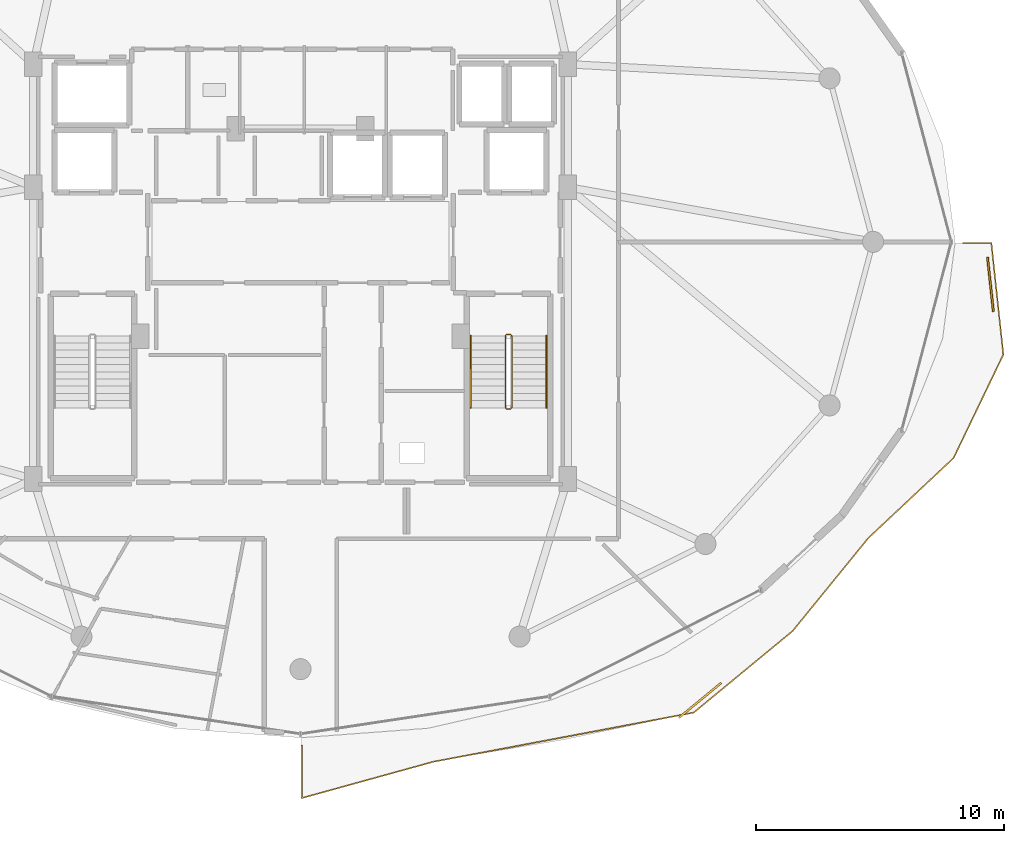
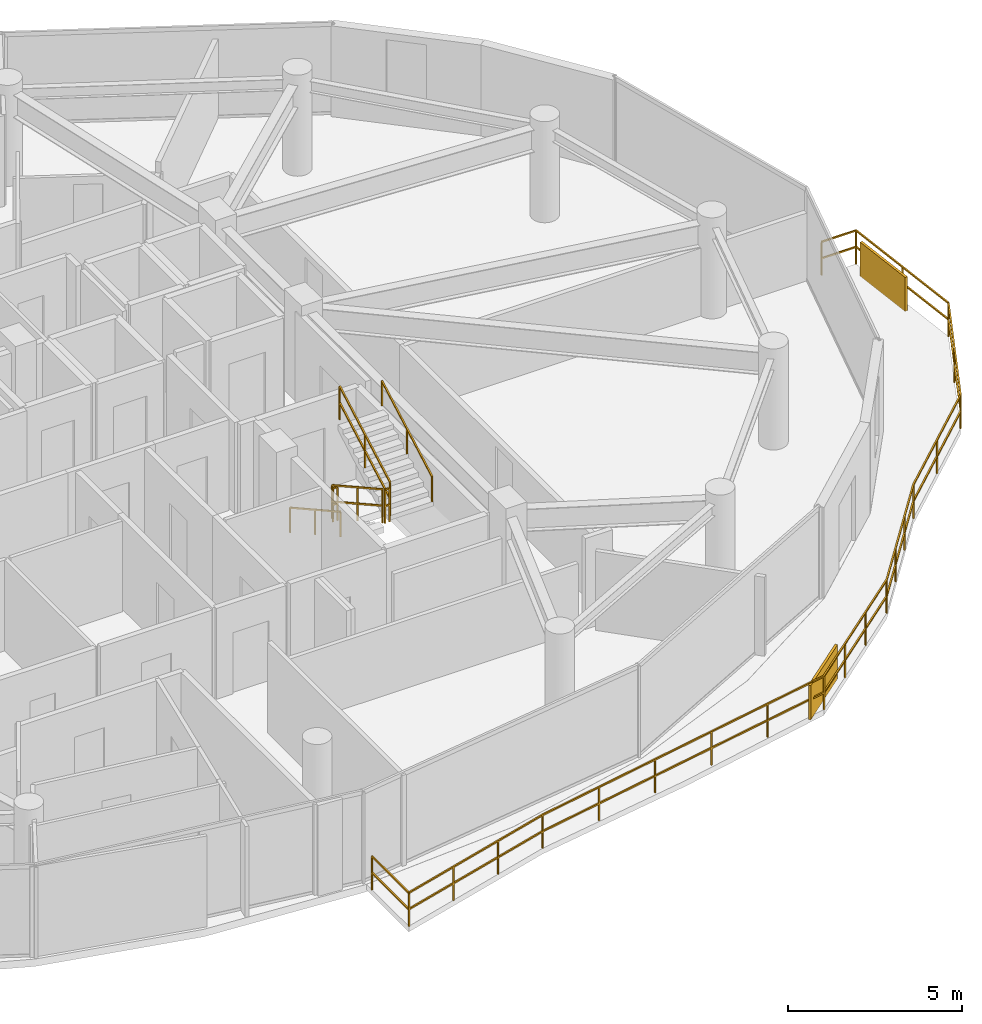
# One storey, part 23 of 25: 8 railings, 2 shading devices.
"""IFC4 building model written with IfcOpenShell, lengths in metres."""

import ifcopenshell
import ifcopenshell.guid

model = None  # the IFC model being written
_history = None  # IfcOwnerHistory: only IFC2X3 demands one
_inside = {}  # id of a spatial element -> (the spatial element, [elements in it])
_under = {}  # id of a project, library or spatial element -> (it, [spatial elements below it])
_declared = {}  # id of a project -> (the project, [libraries it declares])
_typed = {}  # id of a type object -> (the type object, [elements of that type])
_made_of = {}  # id of a material, layer set ... -> (it, [elements and type objects made of it])


def new_model(schema):
    """Start an empty IFC model of exactly this schema.

    Asked for "IFC4X3", IfcOpenShell would pick the latest addendum, in which some entities
    have other attributes; the version numbers below select the first issue.
    IFC2X3 requires an IfcOwnerHistory on every rooted entity: one is made here for all.
    """
    global model, _history
    if schema == "IFC4X3":
        model = ifcopenshell.file(schema_version=(4, 3, 0, 0))
    else:
        model = ifcopenshell.file(schema=schema)
    _inside.clear()
    _under.clear()
    _declared.clear()
    _typed.clear()
    _made_of.clear()
    _history = None
    if model.schema == "IFC2X3":
        org = make("IfcOrganization", Name="unknown")
        user = make(
            "IfcPersonAndOrganization",
            ThePerson=make("IfcPerson", FamilyName="unknown"),
            TheOrganization=org,
        )
        app = make(
            "IfcApplication",
            ApplicationDeveloper=org,
            Version="unknown",
            ApplicationFullName="unknown",
            ApplicationIdentifier="unknown",
        )
        _history = make(
            "IfcOwnerHistory",
            OwningUser=user,
            OwningApplication=app,
            ChangeAction="ADDED",
            CreationDate=0,
        )
    return model


def make(cls, **values):
    """One entity of the class cls with the attributes given. An attribute that is None is left unset."""
    return model.create_entity(
        cls, **{name: value for name, value in values.items() if value is not None}
    )


def rooted(cls, **values):
    """An entity with a GlobalId (a new one), such as an element, a storey or a relation."""
    return make(cls, GlobalId=ifcopenshell.guid.new(), OwnerHistory=_history, **values)


def si_unit(unit_type, name, prefix=None):
    """IfcSIUnit, for example si_unit("LENGTHUNIT", "METRE", prefix="MILLI")."""
    return make("IfcSIUnit", UnitType=unit_type, Prefix=prefix, Name=name)


def assignment(units):
    """IfcUnitAssignment: the units of a project."""
    return None if units is None else make("IfcUnitAssignment", Units=units)


def point(xyz):
    """IfcCartesianPoint."""
    return None if xyz is None else make("IfcCartesianPoint", Coordinates=xyz)


def direction(xyz):
    """IfcDirection."""
    return None if xyz is None else make("IfcDirection", DirectionRatios=xyz)


def frame(location, z_axis=None, x_axis=None):
    """IfcAxis2Placement3D, a coordinate frame: its origin and axes. An axis left out is left unset."""
    return make(
        "IfcAxis2Placement3D",
        Location=point(location),
        Axis=direction(z_axis),
        RefDirection=direction(x_axis),
    )


def frame_2d(location, x_axis=None):
    """IfcAxis2Placement2D, a coordinate frame in the plane: its origin and x axis."""
    return make(
        "IfcAxis2Placement2D", Location=point(location), RefDirection=direction(x_axis)
    )


def origin():
    """The frame at (0, 0, 0) with its axes left unset."""
    return frame((0.0, 0.0, 0.0))


def origin_2d():
    """The frame at (0, 0) in the plane with its x axis left unset."""
    return frame_2d((0.0, 0.0))


def place(relative_to, where):
    """IfcLocalPlacement: puts the frame where relative to a parent placement (None: the world)."""
    return make(
        "IfcLocalPlacement", PlacementRelTo=relative_to, RelativePlacement=where
    )


def context(
    kind, dimensions, precision=None, world=None, true_north=None, identifier=None
):
    """IfcGeometricRepresentationContext, for example the 3D "Model" context."""
    return make(
        "IfcGeometricRepresentationContext",
        ContextIdentifier=identifier,
        ContextType=kind,
        CoordinateSpaceDimension=dimensions,
        Precision=precision,
        WorldCoordinateSystem=world,
        TrueNorth=true_north,
    )


def subcontext(parent, identifier, kind, view, scale=None):
    """IfcGeometricRepresentationSubContext, for example "Body" below "Model"."""
    return make(
        "IfcGeometricRepresentationSubContext",
        ContextIdentifier=identifier,
        ContextType=kind,
        ParentContext=parent,
        TargetScale=scale,
        TargetView=view,
    )


def project(units=None, contexts=None):
    """IfcProject with its units and contexts."""
    return rooted(
        "IfcProject",
        Name="project",
        RepresentationContexts=contexts,
        UnitsInContext=assignment(units),
    )


def spatial(cls, under=None, at=None, **own):
    """A site, building, storey or space (cls), placed at a placement, below another one or the project."""
    s = rooted(cls, ObjectPlacement=at, **own)
    if under is not None:
        _under.setdefault(under.id(), (under, []))[1].append(s)
    return s


def profile(cls, at=None, kind="AREA", **sizes):
    """A parametric profile (cls). Its sizes go by their IFC names, for example OverallWidth=200.0."""
    return make(cls, ProfileType=kind, Position=at, **sizes)


def rectangle(**sizes):
    """IfcRectangleProfileDef."""
    return profile("IfcRectangleProfileDef", **sizes)


def extrude(swept, where, along, depth):
    """IfcExtrudedAreaSolid: the profile swept, set in the frame where, extruded along a direction by depth."""
    return make(
        "IfcExtrudedAreaSolid",
        SweptArea=swept,
        Position=where,
        ExtrudedDirection=direction(along),
        Depth=depth,
    )


def shape(context_of_items, identifier, shape_type, items):
    """IfcShapeRepresentation: the items that make up one representation, for example the "Body"."""
    return make(
        "IfcShapeRepresentation",
        ContextOfItems=context_of_items,
        RepresentationIdentifier=identifier,
        RepresentationType=shape_type,
        Items=items,
    )


def material(Name=None, Category=None):
    """IfcMaterial."""
    return make("IfcMaterial", Name=Name, Category=Category)


def made_of(thing, what):
    """Note that an element or type object is made of a material, layer set ...; save() writes the relation."""
    if what is not None:
        _made_of.setdefault(what.id(), (what, []))[1].append(thing)
    return thing


def type_object(cls, material=None, **own):
    """A type object (cls), such as IfcWallType, which elements share."""
    return made_of(rooted(cls, **own), material)


def element(
    cls,
    number,
    at=None,
    inside=None,
    cuts=None,
    type_object=None,
    material=None,
    context=None,
    identifier="Body",
    shape_type=None,
    held_by="IfcProductDefinitionShape",
    body=None,
    shapes=None,
    **own,
):
    """One element of the class cls, such as IfcWall. Its Tag is "e" and its number.

    at: its placement. inside: the storey or other place that contains it. cuts: it is an
    opening in that element (IfcRelVoidsElement). A single representation is given by context,
    identifier, shape_type and body (its items); several are given by shapes. held_by: the class
    of the entity that holds the representations. save() writes the other relations.
    """
    e = rooted(cls, Tag="e%d" % number, ObjectPlacement=at, **own)
    if body is not None:
        shapes = [shape(context, identifier, shape_type, body)]
    if shapes is not None:
        e.Representation = make(held_by, Representations=shapes)
    if inside is not None:
        _inside.setdefault(inside.id(), (inside, []))[1].append(e)
    if cuts is not None:
        rooted(
            "IfcRelVoidsElement", RelatingBuildingElement=cuts, RelatedOpeningElement=e
        )
    if type_object is not None:
        _typed.setdefault(type_object.id(), (type_object, []))[1].append(e)
    return made_of(e, material)


def aggregate(whole, parts):
    """IfcRelAggregates: a whole, such as a stair, and the parts it consists of."""
    return rooted("IfcRelAggregates", RelatingObject=whole, RelatedObjects=parts)


def save(model, path):
    """Write the relations noted so far, then the file.

    IfcRelAggregates (storeys below a building ...), IfcRelContainedInSpatialStructure (elements
    in a storey), IfcRelDefinesByType, IfcRelAssociatesMaterial and IfcRelDeclares: one each for
    every whole, place, type object, material and project.
    """
    for whole, parts in _under.values():
        aggregate(whole, parts)
    for where, things in _inside.values():
        rooted(
            "IfcRelContainedInSpatialStructure",
            RelatedElements=things,
            RelatingStructure=where,
        )
    for kind, things in _typed.values():
        rooted("IfcRelDefinesByType", RelatedObjects=things, RelatingType=kind)
    for what, things in _made_of.values():
        rooted("IfcRelAssociatesMaterial", RelatedObjects=things, RelatingMaterial=what)
    for by, libraries in _declared.values():
        rooted("IfcRelDeclares", RelatingContext=by, RelatedDefinitions=libraries)
    model.write(path)


model = new_model("IFC4")

# Units and contexts
model_context = context("Model", 3, precision=1e-05, world=origin(), true_north=direction((0.0, 1.0)))
body_context = subcontext(model_context, "Body", "Model", "MODEL_VIEW")
ifc_project = project(units=[si_unit("LENGTHUNIT", "METRE"), si_unit("AREAUNIT", "SQUARE_METRE"), si_unit("VOLUMEUNIT", "CUBIC_METRE"), si_unit("PLANEANGLEUNIT", "RADIAN"), si_unit("MASSUNIT", "GRAM", prefix="KILO")], contexts=[model_context])

# Site, building, storey
site_placement = place(None, origin())
site = spatial("IfcSite", under=ifc_project, at=site_placement, CompositionType="ELEMENT")
building_placement = place(site_placement, origin())
building = spatial("IfcBuilding", under=site, at=building_placement, Name="Vorneva Point Tower", CompositionType="ELEMENT")
storey_placement = place(building_placement, frame((0.0, 0.0, 276.85009765625)))
storey = spatial("IfcBuildingStorey", under=building, at=storey_placement, Name="L75", CompositionType="ELEMENT", Elevation=276.85009765625)

# Railings
ifc_material_1 = material(Name="Pale anodised aluminium", Category="aluminium")
railing_type_1 = type_object("IfcRailingType", Name="RL-BAL-1200", PredefinedType="BALUSTRADE", material=ifc_material_1)
railing_1_placement = place(storey_placement, frame((66.292724609375, 21.462890625, 0.0)))
element("IfcRailing", 1, at=railing_1_placement, inside=storey, type_object=railing_type_1, Name="L75 Wave Balcony Balustrade SE.1", PredefinedType="BALUSTRADE", context=body_context, shape_type="SweptSolid", body=[
    extrude(rectangle(XDim=0.048095703125, YDim=0.048095703125, at=origin_2d()), frame((0.0, 0.0, 1.17578125), z_axis=(-0.106897954968, 0.994269997145, 0.0), x_axis=(-0.994269997145, -0.106897954968, 0.0)), (0.0, 0.0, 1.0), 4.512939453125),
    extrude(rectangle(XDim=0.048095703125, YDim=0.048095703125, at=origin_2d()), frame((0.0, 0.0, 0.60009765625), z_axis=(-0.106897954968, 0.994269997145, 0.0), x_axis=(-0.994269997145, -0.106897954968, 0.0)), (0.0, 0.0, 1.0), 4.512939453125),
    extrude(rectangle(XDim=0.048095703125, YDim=0.048095703125, at=origin_2d()), frame((-0.482421875, 4.487060546875, 1.17578125), z_axis=(-1.0, 0.0, 0.0), x_axis=(0.0, -1.0, 0.0)), (0.0, 0.0, 1.0), 1.14404296875),
    extrude(rectangle(XDim=0.048095703125, YDim=0.048095703125, at=origin_2d()), frame((-0.482421875, 4.487060546875, 0.60009765625), z_axis=(-1.0, 0.0, 0.0), x_axis=(0.0, -1.0, 0.0)), (0.0, 0.0, 1.0), 1.14404296875),
    extrude(rectangle(XDim=0.0419921875, YDim=0.0419921875, at=origin_2d()), origin(), (0.0, 0.0, 1.0), 1.15185546875),
    extrude(rectangle(XDim=0.0419921875, YDim=0.0419921875, at=origin_2d()), frame((-0.2412109375, 2.24365234375, 0.0)), (0.0, 0.0, 1.0), 1.15185546875),
    extrude(rectangle(XDim=0.0419921875, YDim=0.0419921875, at=origin_2d()), frame((-0.482421875, 4.487060546875, 0.0)), (0.0, 0.0, 1.0), 1.15185546875),
    extrude(rectangle(XDim=0.0419921875, YDim=0.0419921875, at=origin_2d()), frame((-1.62646484375, 4.487060546875, 0.0)), (0.0, 0.0, 1.0), 1.15185546875),
])
railing_2_placement = place(storey_placement, frame((38.050048828125, 5.722900390625, 0.0)))
element("IfcRailing", 2, at=railing_2_placement, inside=storey, type_object=railing_type_1, Name="L75 Wave Balcony Balustrade SE.2", PredefinedType="BALUSTRADE", context=body_context, shape_type="SweptSolid", body=[
    extrude(rectangle(XDim=0.048095703125, YDim=0.048095703125, at=origin_2d()), frame((0.0, 0.0, 1.17578125), z_axis=(0.0, -1.0, 0.0), x_axis=(1.0, 0.0, 0.0)), (0.0, 0.0, 1.0), 2.114013671875),
    extrude(rectangle(XDim=0.048095703125, YDim=0.048095703125, at=origin_2d()), frame((0.0, 0.0, 0.60009765625), z_axis=(0.0, -1.0, 0.0), x_axis=(1.0, 0.0, 0.0)), (0.0, 0.0, 1.0), 2.114013671875),
    extrude(rectangle(XDim=0.048095703125, YDim=0.048095703125, at=origin_2d()), frame((0.0, -2.114013671875, 1.17578125), z_axis=(0.963928150656, 0.266162582594, 0.0), x_axis=(-0.266162582594, 0.963928150656, 0.0)), (0.0, 0.0, 1.0), 5.49267578125),
    extrude(rectangle(XDim=0.048095703125, YDim=0.048095703125, at=origin_2d()), frame((0.0, -2.114013671875, 0.60009765625), z_axis=(0.963928150656, 0.266162582594, 0.0), x_axis=(-0.266162582594, 0.963928150656, 0.0)), (0.0, 0.0, 1.0), 5.49267578125),
    extrude(rectangle(XDim=0.048095703125, YDim=0.048095703125, at=origin_2d()), frame((5.29443359375, -0.652099609375, 1.17578125), z_axis=(0.982621597908, 0.185620029427, 0.0), x_axis=(-0.185620029427, 0.982621597908, 0.0)), (0.0, 0.0, 1.0), 10.6708984375),
    extrude(rectangle(XDim=0.048095703125, YDim=0.048095703125, at=origin_2d()), frame((5.29443359375, -0.652099609375, 0.60009765625), z_axis=(0.982621597908, 0.185620029427, 0.0), x_axis=(-0.185620029427, 0.982621597908, 0.0)), (0.0, 0.0, 1.0), 10.6708984375),
    extrude(rectangle(XDim=0.048095703125, YDim=0.048095703125, at=origin_2d()), frame((15.77978515625, 1.32861328125, 1.17578125), z_axis=(0.771678755272, 0.636012498825, 0.0), x_axis=(-0.636012498825, 0.771678755272, 0.0)), (0.0, 0.0, 1.0), 5.157470703125),
    extrude(rectangle(XDim=0.048095703125, YDim=0.048095703125, at=origin_2d()), frame((15.77978515625, 1.32861328125, 0.60009765625), z_axis=(0.771678755272, 0.636012498825, 0.0), x_axis=(-0.636012498825, 0.771678755272, 0.0)), (0.0, 0.0, 1.0), 5.157470703125),
    extrude(rectangle(XDim=0.048095703125, YDim=0.048095703125, at=origin_2d()), frame((19.759765625, 4.60888671875, 1.17578125), z_axis=(0.631285549874, 0.77555048483, 0.0), x_axis=(-0.77555048483, 0.631285549874, 0.0)), (0.0, 0.0, 1.0), 4.826416015625),
    extrude(rectangle(XDim=0.048095703125, YDim=0.048095703125, at=origin_2d()), frame((19.759765625, 4.60888671875, 0.60009765625), z_axis=(0.631285549874, 0.77555048483, 0.0), x_axis=(-0.77555048483, 0.631285549874, 0.0)), (0.0, 0.0, 1.0), 4.826416015625),
    extrude(rectangle(XDim=0.048095703125, YDim=0.048095703125, at=origin_2d()), frame((22.806640625, 8.35205078125, 1.17578125), z_axis=(0.729149057103, 0.684354917076, 0.0), x_axis=(-0.684354917076, 0.729149057103, 0.0)), (0.0, 0.0, 1.0), 4.708984375),
    extrude(rectangle(XDim=0.048095703125, YDim=0.048095703125, at=origin_2d()), frame((22.806640625, 8.35205078125, 0.60009765625), z_axis=(0.729149057103, 0.684354917076, 0.0), x_axis=(-0.684354917076, 0.729149057103, 0.0)), (0.0, 0.0, 1.0), 4.708984375),
    extrude(rectangle(XDim=0.048095703125, YDim=0.048095703125, at=origin_2d()), frame((26.240234375, 11.57470703125, 1.17578125), z_axis=(0.433277106533, 0.90126075525, 0.0), x_axis=(-0.90126075525, 0.433277106533, 0.0)), (0.0, 0.0, 1.0), 4.62158203125),
    extrude(rectangle(XDim=0.048095703125, YDim=0.048095703125, at=origin_2d()), frame((26.240234375, 11.57470703125, 0.60009765625), z_axis=(0.433277106533, 0.90126075525, 0.0), x_axis=(-0.90126075525, 0.433277106533, 0.0)), (0.0, 0.0, 1.0), 4.62158203125),
    extrude(rectangle(XDim=0.0419921875, YDim=0.0419921875, at=origin_2d()), origin(), (0.0, 0.0, 1.0), 1.15185546875),
    extrude(rectangle(XDim=0.0419921875, YDim=0.0419921875, at=origin_2d()), frame((0.0, -2.114013671875, 0.0)), (0.0, 0.0, 1.0), 1.15185546875),
    extrude(rectangle(XDim=0.0419921875, YDim=0.0419921875, at=origin_2d()), frame((1.764892578125, -1.626708984375, 0.0)), (0.0, 0.0, 1.0), 1.15185546875),
    extrude(rectangle(XDim=0.0419921875, YDim=0.0419921875, at=origin_2d()), frame((3.529541015625, -1.139404296875, 0.0)), (0.0, 0.0, 1.0), 1.15185546875),
    extrude(rectangle(XDim=0.0419921875, YDim=0.0419921875, at=origin_2d()), frame((5.29443359375, -0.652099609375, 0.0)), (0.0, 0.0, 1.0), 1.15185546875),
    extrude(rectangle(XDim=0.0419921875, YDim=0.0419921875, at=origin_2d()), frame((7.3916015625, -0.255859375, 0.0)), (0.0, 0.0, 1.0), 1.15185546875),
    extrude(rectangle(XDim=0.0419921875, YDim=0.0419921875, at=origin_2d()), frame((9.488525390625, 0.14013671875, 0.0)), (0.0, 0.0, 1.0), 1.15185546875),
    extrude(rectangle(XDim=0.0419921875, YDim=0.0419921875, at=origin_2d()), frame((11.585693359375, 0.536376953125, 0.0)), (0.0, 0.0, 1.0), 1.15185546875),
    extrude(rectangle(XDim=0.0419921875, YDim=0.0419921875, at=origin_2d()), frame((13.6826171875, 0.932373046875, 0.0)), (0.0, 0.0, 1.0), 1.15185546875),
    extrude(rectangle(XDim=0.0419921875, YDim=0.0419921875, at=origin_2d()), frame((15.77978515625, 1.32861328125, 0.0)), (0.0, 0.0, 1.0), 1.15185546875),
    extrude(rectangle(XDim=0.0419921875, YDim=0.0419921875, at=origin_2d()), frame((17.1064453125, 2.422119140625, 0.0)), (0.0, 0.0, 1.0), 1.15185546875),
    extrude(rectangle(XDim=0.0419921875, YDim=0.0419921875, at=origin_2d()), frame((18.43310546875, 3.515380859375, 0.0)), (0.0, 0.0, 1.0), 1.15185546875),
    extrude(rectangle(XDim=0.0419921875, YDim=0.0419921875, at=origin_2d()), frame((19.759765625, 4.60888671875, 0.0)), (0.0, 0.0, 1.0), 1.15185546875),
    extrude(rectangle(XDim=0.0419921875, YDim=0.0419921875, at=origin_2d()), frame((20.775390625, 5.856689453125, 0.0)), (0.0, 0.0, 1.0), 1.15185546875),
    extrude(rectangle(XDim=0.0419921875, YDim=0.0419921875, at=origin_2d()), frame((21.791015625, 7.104248046875, 0.0)), (0.0, 0.0, 1.0), 1.15185546875),
    extrude(rectangle(XDim=0.0419921875, YDim=0.0419921875, at=origin_2d()), frame((22.806640625, 8.35205078125, 0.0)), (0.0, 0.0, 1.0), 1.15185546875),
    extrude(rectangle(XDim=0.0419921875, YDim=0.0419921875, at=origin_2d()), frame((24.5234375, 9.96337890625, 0.0)), (0.0, 0.0, 1.0), 1.15185546875),
    extrude(rectangle(XDim=0.0419921875, YDim=0.0419921875, at=origin_2d()), frame((26.240234375, 11.57470703125, 0.0)), (0.0, 0.0, 1.0), 1.15185546875),
    extrude(rectangle(XDim=0.0419921875, YDim=0.0419921875, at=origin_2d()), frame((27.241455078125, 13.6572265625, 0.0)), (0.0, 0.0, 1.0), 1.15185546875),
    extrude(rectangle(XDim=0.0419921875, YDim=0.0419921875, at=origin_2d()), frame((28.24267578125, 15.739990234375, 0.0)), (0.0, 0.0, 1.0), 1.15185546875),
])
ifc_material_2 = material(Name="Brushed stainless steel S304", Category="steel")
railing_type_2 = type_object("IfcRailingType", Name="RL-HND-920", PredefinedType="HANDRAIL", material=ifc_material_2)
railing_3_placement = place(storey_placement, frame((44.85009765625, 22.219970703125, 0.161376953125)))
element("IfcRailing", 3, at=railing_3_placement, inside=storey, type_object=railing_type_2, Name="L75 ST2 stair handrail 1", PredefinedType="HANDRAIL", context=body_context, shape_type="SweptSolid", body=[
    extrude(rectangle(XDim=0.048095703125, YDim=0.048095703125, at=origin_2d()), frame((0.0, 0.0, 0.8759765625), z_axis=(0.0, -0.873841303929, 0.486211245805), x_axis=(1.0, 0.0, 0.0)), (0.0, 0.0, 1.0), 3.318603515625),
    extrude(rectangle(XDim=0.0419921875, YDim=0.0419921875, at=origin_2d()), origin(), (0.0, 0.0, 1.0), 0.851806640625),
    extrude(rectangle(XDim=0.0419921875, YDim=0.0419921875, at=origin_2d()), frame((0.0, -1.449951171875, 0.806640625)), (0.0, 0.0, 1.0), 0.851806640625),
    extrude(rectangle(XDim=0.0419921875, YDim=0.0419921875, at=origin_2d()), frame((0.0, -2.89990234375, 1.613525390625)), (0.0, 0.0, 1.0), 0.851806640625),
])
railing_4_placement = place(storey_placement, frame((47.89990234375, 19.320068359375, 1.936279296875)))
element("IfcRailing", 4, at=railing_4_placement, inside=storey, type_object=railing_type_2, Name="L75 ST2 stair handrail 2", PredefinedType="HANDRAIL", context=body_context, shape_type="SweptSolid", body=[
    extrude(rectangle(XDim=0.048095703125, YDim=0.048095703125, at=origin_2d()), frame((0.0, 0.0, 0.8759765625), z_axis=(0.0, 0.873841303929, 0.486211245805), x_axis=(-1.0, 0.0, 0.0)), (0.0, 0.0, 1.0), 3.318603515625),
    extrude(rectangle(XDim=0.0419921875, YDim=0.0419921875, at=origin_2d()), origin(), (0.0, 0.0, 1.0), 0.851806640625),
    extrude(rectangle(XDim=0.0419921875, YDim=0.0419921875, at=origin_2d()), frame((0.0, 1.449951171875, 0.806640625)), (0.0, 0.0, 1.0), 0.851806640625),
    extrude(rectangle(XDim=0.0419921875, YDim=0.0419921875, at=origin_2d()), frame((0.0, 2.89990234375, 1.613525390625)), (0.0, 0.0, 1.0), 0.851806640625),
])
railing_type_3 = type_object("IfcRailingType", Name="RL-STG-1100", PredefinedType="GUARDRAIL", material=ifc_material_2)
railing_5_placement = place(storey_placement, frame((46.25, 22.219970703125, 0.161376953125)))
element("IfcRailing", 5, at=railing_5_placement, inside=storey, type_object=railing_type_3, Name="L75 ST2 stair guard 1", PredefinedType="GUARDRAIL", context=body_context, shape_type="SweptSolid", body=[
    extrude(rectangle(XDim=0.048095703125, YDim=0.048095703125, at=origin_2d()), frame((0.0, 0.0, 1.17578125), z_axis=(0.0, -0.873841303929, 0.486211245805), x_axis=(1.0, 0.0, 0.0)), (0.0, 0.0, 1.0), 3.318603515625),
    extrude(rectangle(XDim=0.048095703125, YDim=0.048095703125, at=origin_2d()), frame((0.0, 0.0, 0.60009765625), z_axis=(0.0, -0.873841303929, 0.486211245805), x_axis=(1.0, 0.0, 0.0)), (0.0, 0.0, 1.0), 3.318603515625),
    extrude(rectangle(XDim=0.0419921875, YDim=0.0419921875, at=origin_2d()), origin(), (0.0, 0.0, 1.0), 1.15185546875),
    extrude(rectangle(XDim=0.0419921875, YDim=0.0419921875, at=origin_2d()), frame((0.0, -1.449951171875, 0.806640625)), (0.0, 0.0, 1.0), 1.15185546875),
    extrude(rectangle(XDim=0.0419921875, YDim=0.0419921875, at=origin_2d()), frame((0.0, -2.89990234375, 1.613525390625)), (0.0, 0.0, 1.0), 1.15185546875),
])
railing_6_placement = place(storey_placement, frame((46.300048828125, 19.27001953125, 1.77490234375)))
element("IfcRailing", 6, at=railing_6_placement, inside=storey, type_object=railing_type_3, Name="L75 ST2 stair guard 2", PredefinedType="GUARDRAIL", context=body_context, shape_type="SweptSolid", body=[
    extrude(rectangle(XDim=0.048095703125, YDim=0.048095703125, at=origin_2d()), frame((0.0, 0.0, 1.17578125), z_axis=(1.0, 0.0, 0.0), x_axis=(0.0, 1.0, 0.0)), (0.0, 0.0, 1.0), 0.14990234375),
    extrude(rectangle(XDim=0.048095703125, YDim=0.048095703125, at=origin_2d()), frame((0.0, 0.0, 0.60009765625), z_axis=(1.0, 0.0, 0.0), x_axis=(0.0, 1.0, 0.0)), (0.0, 0.0, 1.0), 0.14990234375),
    extrude(rectangle(XDim=0.0419921875, YDim=0.0419921875, at=origin_2d()), origin(), (0.0, 0.0, 1.0), 1.15185546875),
    extrude(rectangle(XDim=0.0419921875, YDim=0.0419921875, at=origin_2d()), frame((0.14990234375, 0.0, 0.0)), (0.0, 0.0, 1.0), 1.15185546875),
])
railing_7_placement = place(storey_placement, frame((46.5, 19.320068359375, 1.936279296875)))
element("IfcRailing", 7, at=railing_7_placement, inside=storey, type_object=railing_type_3, Name="L75 ST2 stair guard 3", PredefinedType="GUARDRAIL", context=body_context, shape_type="SweptSolid", body=[
    extrude(rectangle(XDim=0.048095703125, YDim=0.048095703125, at=origin_2d()), frame((0.0, 0.0, 1.17578125), z_axis=(0.0, 0.873841303929, 0.486211245805), x_axis=(-1.0, 0.0, 0.0)), (0.0, 0.0, 1.0), 3.318603515625),
    extrude(rectangle(XDim=0.048095703125, YDim=0.048095703125, at=origin_2d()), frame((0.0, 0.0, 0.60009765625), z_axis=(0.0, 0.873841303929, 0.486211245805), x_axis=(-1.0, 0.0, 0.0)), (0.0, 0.0, 1.0), 3.318603515625),
    extrude(rectangle(XDim=0.0419921875, YDim=0.0419921875, at=origin_2d()), origin(), (0.0, 0.0, 1.0), 1.15185546875),
    extrude(rectangle(XDim=0.0419921875, YDim=0.0419921875, at=origin_2d()), frame((0.0, 1.449951171875, 0.806640625)), (0.0, 0.0, 1.0), 1.15185546875),
    extrude(rectangle(XDim=0.0419921875, YDim=0.0419921875, at=origin_2d()), frame((0.0, 2.89990234375, 1.613525390625)), (0.0, 0.0, 1.0), 1.15185546875),
])
railing_8_placement = place(storey_placement, frame((46.300048828125, 22.27001953125, 0.0)))
element("IfcRailing", 8, at=railing_8_placement, inside=storey, type_object=railing_type_3, Name="L75 ST2 stair guard 4", PredefinedType="GUARDRAIL", context=body_context, shape_type="SweptSolid", body=[
    extrude(rectangle(XDim=0.048095703125, YDim=0.048095703125, at=origin_2d()), frame((0.0, 0.0, 1.17578125), z_axis=(1.0, 0.0, 0.0), x_axis=(0.0, 1.0, 0.0)), (0.0, 0.0, 1.0), 0.14990234375),
    extrude(rectangle(XDim=0.048095703125, YDim=0.048095703125, at=origin_2d()), frame((0.0, 0.0, 0.60009765625), z_axis=(1.0, 0.0, 0.0), x_axis=(0.0, 1.0, 0.0)), (0.0, 0.0, 1.0), 0.14990234375),
    extrude(rectangle(XDim=0.0419921875, YDim=0.0419921875, at=origin_2d()), origin(), (0.0, 0.0, 1.0), 1.15185546875),
    extrude(rectangle(XDim=0.0419921875, YDim=0.0419921875, at=origin_2d()), frame((0.14990234375, 0.0, 0.0)), (0.0, 0.0, 1.0), 1.15185546875),
])

# Shading devices
shading_device_type = type_object("IfcShadingDeviceType", Name="SHD-JAL-1200", PredefinedType="JALOUSIE", material=ifc_material_1)
for number, where, z_axis, x_axis, name in (
    (9, (65.770751953125, 24.288818359375, -0.02001953125), (0.0, 0.0, 1.0), (-0.106871457957, 0.994272845588, 0.0), "L75 Balcony Vertical-Greenery Planter Screen SE.1"),
    (10, (54.084716796875, 7.54638671875, -0.02001953125), (0.0, 0.0, 1.0), (0.771657887308, 0.636037817237, 0.0), "L75 Balcony Vertical-Greenery Planter Screen SE.2"),
):
    element("IfcShadingDevice", number, at=place(storey_placement, frame(where, z_axis=z_axis, x_axis=x_axis)), inside=storey, type_object=shading_device_type, Name=name, PredefinedType="JALOUSIE", context=body_context, shape_type="SweptSolid", body=[
        extrude(rectangle(XDim=2.199951171875, YDim=0.080078125, at=origin_2d()), origin(), (0.0, 0.0, 1.0), 1.199951171875),
    ])

save(model, "model.ifc")
